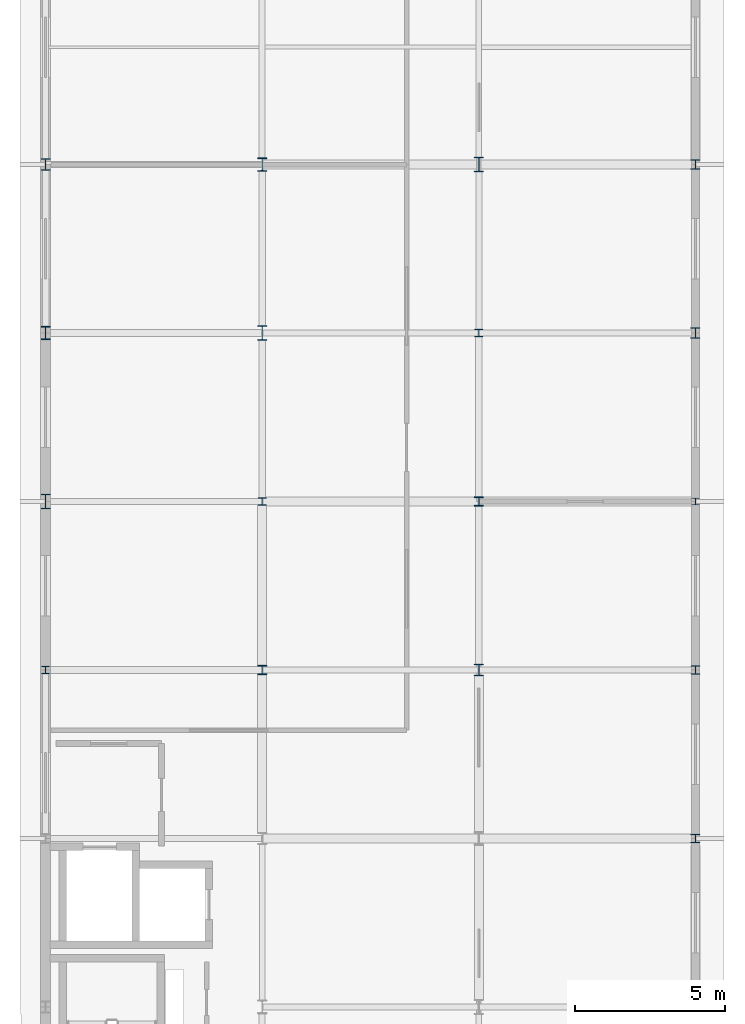
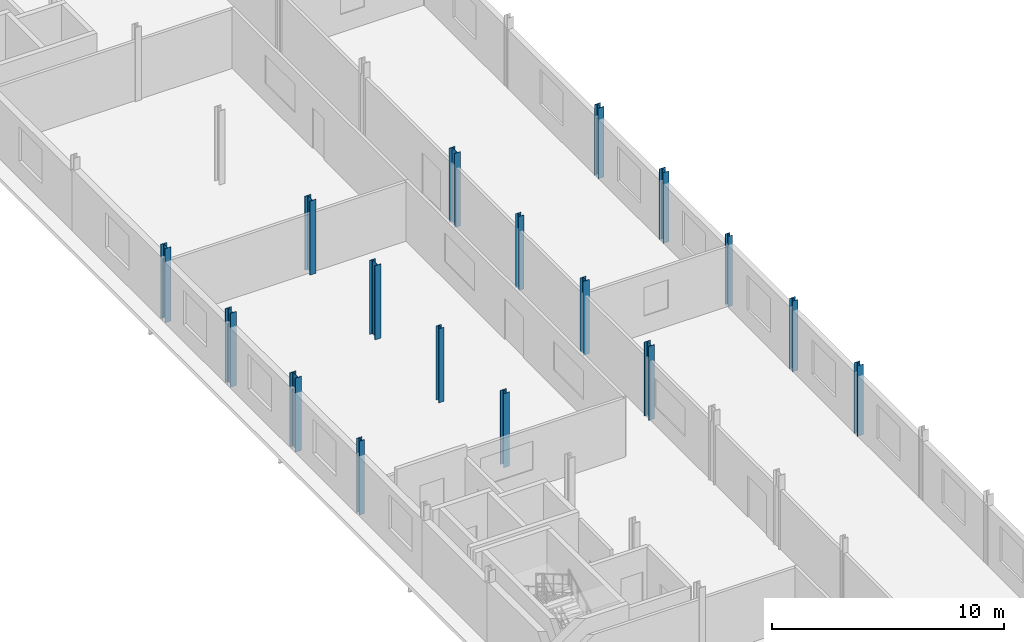
# One storey, part 2 of 16: 17 columns.
"""IFC4 building model written with IfcOpenShell, lengths in metres."""

from ifc_helpers import new_model, si_unit, direction, frame, origin, origin_2d, place, context, subcontext, project, spatial, i_section, extrude, material, material_profile, profile_set, type_object, element, save


model = new_model("IFC4")

# Units and contexts
model_context = context("Model", 3, precision=1e-05, world=origin(), true_north=direction((0.0, 1.0)))
body_context = subcontext(model_context, "Body", "Model", "MODEL_VIEW")
ifc_project = project(units=[si_unit("LENGTHUNIT", "METRE"), si_unit("AREAUNIT", "SQUARE_METRE"), si_unit("VOLUMEUNIT", "CUBIC_METRE"), si_unit("PLANEANGLEUNIT", "RADIAN"), si_unit("MASSUNIT", "GRAM", prefix="KILO")], contexts=[model_context])

# Site, building, storey
site_placement = place(None, origin())
site = spatial("IfcSite", under=ifc_project, at=site_placement, CompositionType="ELEMENT")
building_placement = place(site_placement, origin())
building = spatial("IfcBuilding", under=site, at=building_placement, Name="Vinh Khe Railworks Police Headquarters", CompositionType="ELEMENT")
storey_placement = place(building_placement, frame((0.0, 0.0, 28.800048828125)))
storey = spatial("IfcBuildingStorey", under=building, at=storey_placement, Name="L07", CompositionType="ELEMENT", Elevation=28.800048828125)

# Columns
ifc_material = material(Name="Steel S355JR", Category="steel")
ifc_material_profile_1 = material_profile(ifc_material, i_section(OverallWidth=0.239990234375, OverallDepth=0.22998046875, WebThickness=0.007568359375, FlangeThickness=0.011962890625, FilletRadius=0.02099609375, at=origin_2d()), Name="HEA 240")
ifc_profile_set_1 = profile_set([ifc_material_profile_1], Name="Steel S355JR")
column_type_1 = type_object("IfcColumnType", Name="Steel Column HEA 240", PredefinedType="COLUMN", material=ifc_profile_set_1)
column_1_placement = place(storey_placement, frame((22.199951171875, 47.60009765625, 0.0), z_axis=(0.0, 0.0, 1.0), x_axis=(1.0, 0.0, 0.0)))
element("IfcColumn", 1, at=column_1_placement, inside=storey, type_object=column_type_1, Name="Column COL-L07-SC-20-0561", PredefinedType="COLUMN", context=body_context, shape_type="SweptSolid", body=[
    extrude(i_section(OverallWidth=0.239990234375, OverallDepth=0.22998046875, WebThickness=0.007568359375, FlangeThickness=0.011962890625, FilletRadius=0.02099609375, at=origin_2d()), origin(), (0.0, 0.0, 1.0), 3.719970703125),
])
ifc_material_profile_2 = material_profile(ifc_material, i_section(OverallWidth=0.280029296875, OverallDepth=0.27001953125, WebThickness=0.008056640625, FlangeThickness=0.012939453125, FilletRadius=0.02392578125, at=origin_2d()), Name="HEA 280")
ifc_profile_set_2 = profile_set([ifc_material_profile_2], Name="Steel S355JR")
column_type_2 = type_object("IfcColumnType", Name="Steel Column HEA 280", PredefinedType="COLUMN", material=ifc_profile_set_2)
column_2_placement = place(storey_placement, frame((22.199951171875, 42.0, 0.0), z_axis=(0.0, 0.0, 1.0), x_axis=(1.0, 0.0, 0.0)))
element("IfcColumn", 2, at=column_2_placement, inside=storey, type_object=column_type_2, Name="Column COL-L07-SC-19-0552", PredefinedType="COLUMN", context=body_context, shape_type="SweptSolid", body=[
    extrude(i_section(OverallWidth=0.280029296875, OverallDepth=0.27001953125, WebThickness=0.008056640625, FlangeThickness=0.012939453125, FilletRadius=0.02392578125, at=origin_2d()), origin(), (0.0, 0.0, 1.0), 3.719970703125),
])
ifc_material_profile_3 = material_profile(ifc_material, i_section(OverallWidth=0.300048828125, OverallDepth=0.2900390625, WebThickness=0.008544921875, FlangeThickness=0.013916015625, FilletRadius=0.027099609375, at=origin_2d()), Name="HEA 300")
ifc_profile_set_3 = profile_set([ifc_material_profile_3], Name="Steel S355JR")
column_type_3 = type_object("IfcColumnType", Name="Steel Column HEA 300", PredefinedType="COLUMN", material=ifc_profile_set_3)
column_3_placement = place(storey_placement, frame((22.199951171875, 36.39990234375, 0.0), z_axis=(0.0, 0.0, 1.0), x_axis=(1.0, 0.0, 0.0)))
element("IfcColumn", 3, at=column_3_placement, inside=storey, type_object=column_type_3, Name="Column COL-L07-SC-18-0543", PredefinedType="COLUMN", context=body_context, shape_type="SweptSolid", body=[
    extrude(i_section(OverallWidth=0.300048828125, OverallDepth=0.2900390625, WebThickness=0.008544921875, FlangeThickness=0.013916015625, FilletRadius=0.027099609375, at=origin_2d()), origin(), (0.0, 0.0, 1.0), 3.719970703125),
])
ifc_material_profile_4 = material_profile(ifc_material, i_section(OverallWidth=0.300048828125, OverallDepth=0.330078125, WebThickness=0.009521484375, FlangeThickness=0.0166015625, FilletRadius=0.027099609375, at=origin_2d()), Name="HEA 340")
ifc_profile_set_4 = profile_set([ifc_material_profile_4], Name="Steel S355JR")
column_type_4 = type_object("IfcColumnType", Name="Steel Column HEA 340", PredefinedType="COLUMN", material=ifc_profile_set_4)
column_4_placement = place(storey_placement, frame((22.199951171875, 58.800048828125, 0.0), z_axis=(0.0, 0.0, 1.0), x_axis=(1.0, 0.0, 0.0)))
element("IfcColumn", 4, at=column_4_placement, inside=storey, type_object=column_type_4, Name="Column COL-L07-SC-17-0579", PredefinedType="COLUMN", context=body_context, shape_type="SweptSolid", body=[
    extrude(i_section(OverallWidth=0.300048828125, OverallDepth=0.330078125, WebThickness=0.009521484375, FlangeThickness=0.0166015625, FilletRadius=0.027099609375, at=origin_2d()), origin(), (0.0, 0.0, 1.0), 3.719970703125),
])
ifc_material_profile_5 = material_profile(ifc_material, i_section(OverallWidth=0.300048828125, OverallDepth=0.35009765625, WebThickness=0.010009765625, FlangeThickness=0.017578125, FilletRadius=0.027099609375, at=origin_2d()), Name="HEA 360")
ifc_profile_set_5 = profile_set([ifc_material_profile_5], Name="Steel S355JR")
column_type_5 = type_object("IfcColumnType", Name="Steel Column HEA 360", PredefinedType="COLUMN", material=ifc_profile_set_5)
column_5_placement = place(storey_placement, frame((22.199951171875, 53.199951171875, 0.0), z_axis=(0.0, 0.0, 1.0), x_axis=(1.0, 0.0, 0.0)))
element("IfcColumn", 5, at=column_5_placement, inside=storey, type_object=column_type_5, Name="Column COL-L07-SC-16-0570", PredefinedType="COLUMN", context=body_context, shape_type="SweptSolid", body=[
    extrude(i_section(OverallWidth=0.300048828125, OverallDepth=0.35009765625, WebThickness=0.010009765625, FlangeThickness=0.017578125, FilletRadius=0.027099609375, at=origin_2d()), origin(), (0.0, 0.0, 1.0), 3.719970703125),
])
ifc_material_profile_6 = material_profile(ifc_material, i_section(OverallWidth=0.300048828125, OverallDepth=0.389892578125, WebThickness=0.010986328125, FlangeThickness=0.01904296875, FilletRadius=0.027099609375, at=origin_2d()), Name="HEA 400")
ifc_profile_set_6 = profile_set([ifc_material_profile_6], Name="Steel S355JR")
column_type_6 = type_object("IfcColumnType", Name="Steel Column HEA 400", PredefinedType="COLUMN", material=ifc_profile_set_6)
for number, where, z_axis, x_axis, name in (
    (6, (0.60009765625, 58.800048828125, 0.0), (0.0, 0.0, 1.0), (1.0, 0.0, 0.0), "Column COL-L07-SC-15-0085"),
    (7, (15.0, 42.0, 0.0), (0.0, 0.0, 1.0), (1.0, 0.0, 0.0), "Column COL-L07-SC-15-0389"),
):
    element("IfcColumn", number, at=place(storey_placement, frame(where, z_axis=z_axis, x_axis=x_axis)), inside=storey, type_object=column_type_6, Name=name, PredefinedType="COLUMN", context=body_context, shape_type="SweptSolid", body=[
        extrude(i_section(OverallWidth=0.300048828125, OverallDepth=0.389892578125, WebThickness=0.010986328125, FlangeThickness=0.01904296875, FilletRadius=0.027099609375, at=origin_2d()), origin(), (0.0, 0.0, 1.0), 3.89990234375),
    ])
ifc_material_profile_7 = material_profile(ifc_material, i_section(OverallWidth=0.300048828125, OverallDepth=0.43994140625, WebThickness=0.011474609375, FlangeThickness=0.02099609375, FilletRadius=0.027099609375, at=origin_2d()), Name="HEA 450")
ifc_profile_set_7 = profile_set([ifc_material_profile_7], Name="Steel S355JR")
column_type_7 = type_object("IfcColumnType", Name="Steel Column HEA 450", PredefinedType="COLUMN", material=ifc_profile_set_7)
for number, where, z_axis, x_axis, name in (
    (8, (0.60009765625, 53.199951171875, 0.0), (0.0, 0.0, 1.0), (1.0, 0.0, 0.0), "Column COL-L07-SC-14-0075"),
    (9, (7.800048828125, 58.800048828125, 0.0), (0.0, 0.0, 1.0), (1.0, 0.0, 0.0), "Column COL-L07-SC-14-0252"),
):
    element("IfcColumn", number, at=place(storey_placement, frame(where, z_axis=z_axis, x_axis=x_axis)), inside=storey, type_object=column_type_7, Name=name, PredefinedType="COLUMN", context=body_context, shape_type="SweptSolid", body=[
        extrude(i_section(OverallWidth=0.300048828125, OverallDepth=0.43994140625, WebThickness=0.011474609375, FlangeThickness=0.02099609375, FilletRadius=0.027099609375, at=origin_2d()), origin(), (0.0, 0.0, 1.0), 3.89990234375),
    ])
ifc_material_profile_8 = material_profile(ifc_material, i_section(OverallWidth=0.300048828125, OverallDepth=0.489990234375, WebThickness=0.011962890625, FlangeThickness=0.02294921875, FilletRadius=0.027099609375, at=origin_2d()), Name="HEA 500")
ifc_profile_set_8 = profile_set([ifc_material_profile_8], Name="Steel S355JR")
column_type_8 = type_object("IfcColumnType", Name="Steel Column HEA 500", PredefinedType="COLUMN", material=ifc_profile_set_8)
for number, where, z_axis, x_axis, name in (
    (10, (0.60009765625, 47.60009765625, 0.0), (0.0, 0.0, 1.0), (1.0, 0.0, 0.0), "Column COL-L07-SC-13-0065"),
    (11, (7.800048828125, 53.199951171875, 0.0), (0.0, 0.0, 1.0), (1.0, 0.0, 0.0), "Column COL-L07-SC-13-0242"),
    (12, (15.0, 58.800048828125, 0.0), (0.0, 0.0, 1.0), (1.0, 0.0, 0.0), "Column COL-L07-SC-13-0419"),
):
    element("IfcColumn", number, at=place(storey_placement, frame(where, z_axis=z_axis, x_axis=x_axis)), inside=storey, type_object=column_type_8, Name=name, PredefinedType="COLUMN", context=body_context, shape_type="SweptSolid", body=[
        extrude(i_section(OverallWidth=0.300048828125, OverallDepth=0.489990234375, WebThickness=0.011962890625, FlangeThickness=0.02294921875, FilletRadius=0.027099609375, at=origin_2d()), origin(), (0.0, 0.0, 1.0), 3.89990234375),
    ])
ifc_material_profile_9 = material_profile(ifc_material, i_section(OverallWidth=0.260009765625, OverallDepth=0.260009765625, WebThickness=0.010009765625, FlangeThickness=0.017578125, FilletRadius=0.02392578125, at=origin_2d()), Name="HEB 260")
ifc_profile_set_9 = profile_set([ifc_material_profile_9], Name="Steel S355JR")
column_type_9 = type_object("IfcColumnType", Name="Steel Column HEB 260", PredefinedType="COLUMN", material=ifc_profile_set_9)
for number, where, z_axis, x_axis, name in (
    (13, (0.60009765625, 42.0, 0.0), (0.0, 0.0, 1.0), (1.0, 0.0, 0.0), "Column COL-L07-SC-12-0055"),
    (14, (7.800048828125, 47.60009765625, 0.0), (0.0, 0.0, 1.0), (1.0, 0.0, 0.0), "Column COL-L07-SC-12-0232"),
    (15, (15.0, 53.199951171875, 0.0), (0.0, 0.0, 1.0), (1.0, 0.0, 0.0), "Column COL-L07-SC-12-0409"),
):
    element("IfcColumn", number, at=place(storey_placement, frame(where, z_axis=z_axis, x_axis=x_axis)), inside=storey, type_object=column_type_9, Name=name, PredefinedType="COLUMN", context=body_context, shape_type="SweptSolid", body=[
        extrude(i_section(OverallWidth=0.260009765625, OverallDepth=0.260009765625, WebThickness=0.010009765625, FlangeThickness=0.017578125, FilletRadius=0.02392578125, at=origin_2d()), origin(), (0.0, 0.0, 1.0), 3.89990234375),
    ])
ifc_material_profile_10 = material_profile(ifc_material, i_section(OverallWidth=0.300048828125, OverallDepth=0.300048828125, WebThickness=0.010986328125, FlangeThickness=0.01904296875, FilletRadius=0.027099609375, at=origin_2d()), Name="HEB 300")
ifc_profile_set_10 = profile_set([ifc_material_profile_10], Name="Steel S355JR")
column_type_10 = type_object("IfcColumnType", Name="Steel Column HEB 300", PredefinedType="COLUMN", material=ifc_profile_set_10)
for number, where, z_axis, x_axis, name in (
    (16, (7.800048828125, 42.0, 0.0), (0.0, 0.0, 1.0), (1.0, 0.0, 0.0), "Column COL-L07-SC-11-0222"),
    (17, (15.0, 47.60009765625, 0.0), (0.0, 0.0, 1.0), (1.0, 0.0, 0.0), "Column COL-L07-SC-11-0399"),
):
    element("IfcColumn", number, at=place(storey_placement, frame(where, z_axis=z_axis, x_axis=x_axis)), inside=storey, type_object=column_type_10, Name=name, PredefinedType="COLUMN", context=body_context, shape_type="SweptSolid", body=[
        extrude(i_section(OverallWidth=0.300048828125, OverallDepth=0.300048828125, WebThickness=0.010986328125, FlangeThickness=0.01904296875, FilletRadius=0.027099609375, at=origin_2d()), origin(), (0.0, 0.0, 1.0), 3.89990234375),
    ])

save(model, "model.ifc")
